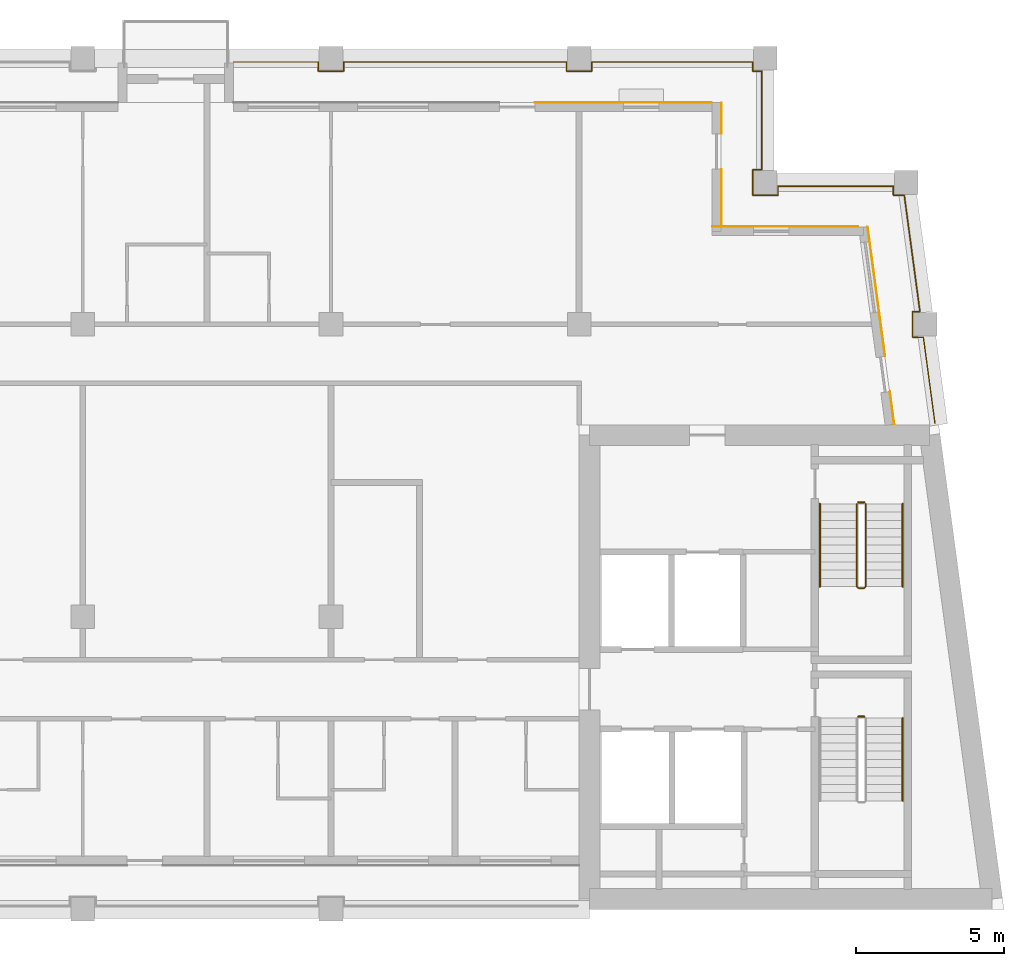
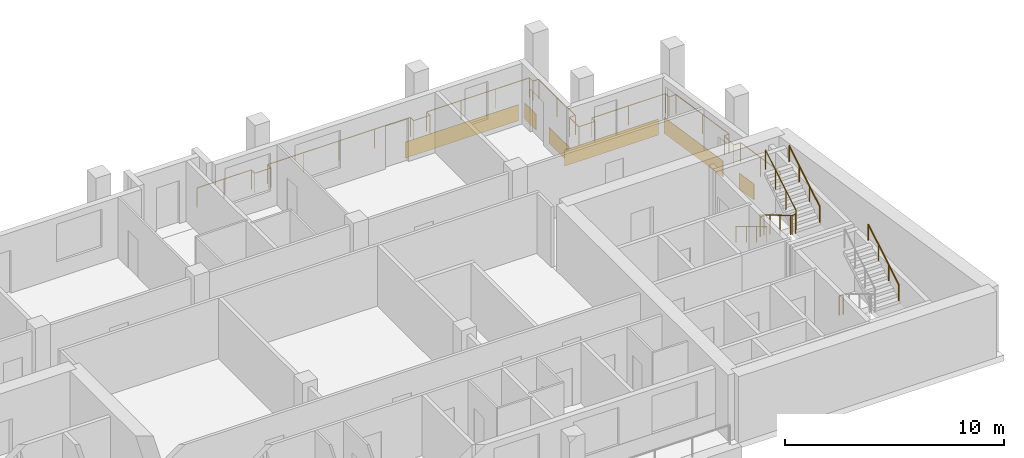
# One storey, part 9 of 10: 7 railings, 6 coverings.
"""IFC4 building model written with IfcOpenShell, lengths in metres."""

from ifc_helpers import new_model, si_unit, direction, frame, origin, origin_2d, place, context, subcontext, project, spatial, rectangle, circle, extrude, material, layer, layer_set, type_object, element, save


model = new_model("IFC4")

# Units and contexts
model_context = context("Model", 3, precision=1e-05, world=origin(), true_north=direction((0.0, 1.0)))
body_context = subcontext(model_context, "Body", "Model", "MODEL_VIEW")
ifc_project = project(units=[si_unit("LENGTHUNIT", "METRE"), si_unit("AREAUNIT", "SQUARE_METRE"), si_unit("VOLUMEUNIT", "CUBIC_METRE"), si_unit("PLANEANGLEUNIT", "RADIAN"), si_unit("MASSUNIT", "GRAM", prefix="KILO")], contexts=[model_context])

# Site, building, storey
site_placement = place(None, origin())
site = spatial("IfcSite", under=ifc_project, at=site_placement, CompositionType="ELEMENT")
building_placement = place(site_placement, origin())
building = spatial("IfcBuilding", under=site, at=building_placement, Name="Candeia Pilgrim Tower and Theatre", CompositionType="ELEMENT")
storey_placement = place(building_placement, frame((0.0, 0.0, 288.60009765625)))
storey = spatial("IfcBuildingStorey", under=building, at=storey_placement, Name="L70", CompositionType="ELEMENT", Elevation=288.60009765625)

# Railing
ifc_material_1 = material(Name="Stainless steel balustrade", Category="steel")
railing_type_1 = type_object("IfcRailingType", Name="G1 loggia guard 1100", PredefinedType="GUARDRAIL", material=ifc_material_1)
railing_1_placement = place(storey_placement, frame((114.300048828125, 144.679931640625, 0.0)))
element("IfcRailing", 1, at=railing_1_placement, inside=storey, type_object=railing_type_1, Name="Guard L70.2", PredefinedType="GUARDRAIL", context=body_context, shape_type="SweptSolid", body=[
    extrude(circle(Radius=0.02392578125, at=origin_2d()), frame((0.0, 0.0, 1.076171875), z_axis=(1.0, 0.0, 0.0), x_axis=(0.0, 1.0, 0.0)), (0.0, 0.0, 1.0), 2.869873046875),
    extrude(circle(Radius=0.02392578125, at=origin_2d()), frame((2.869873046875, 0.0, 1.076171875), z_axis=(0.0, -1.0, 0.0), x_axis=(1.0, 0.0, 0.0)), (0.0, 0.0, 1.0), 0.309814453125),
    extrude(circle(Radius=0.02392578125, at=origin_2d()), frame((2.869873046875, -0.309814453125, 1.076171875), z_axis=(1.0, 0.0, 0.0), x_axis=(0.0, 1.0, 0.0)), (0.0, 0.0, 1.0), 0.860107421875),
    extrude(circle(Radius=0.02392578125, at=origin_2d()), frame((3.72998046875, -0.309814453125, 1.076171875), z_axis=(0.0, 1.0, 0.0), x_axis=(-1.0, 0.0, 0.0)), (0.0, 0.0, 1.0), 0.309814453125),
    extrude(circle(Radius=0.02392578125, at=origin_2d()), frame((3.72998046875, 0.0, 1.076171875), z_axis=(1.0, 0.0, 0.0), x_axis=(0.0, 1.0, 0.0)), (0.0, 0.0, 1.0), 7.5400390625),
    extrude(circle(Radius=0.02392578125, at=origin_2d()), frame((11.27001953125, 0.0, 1.076171875), z_axis=(0.0, -1.0, 0.0), x_axis=(1.0, 0.0, 0.0)), (0.0, 0.0, 1.0), 0.309814453125),
    extrude(circle(Radius=0.02392578125, at=origin_2d()), frame((11.27001953125, -0.309814453125, 1.076171875), z_axis=(1.0, 0.0, 0.0), x_axis=(0.0, 1.0, 0.0)), (0.0, 0.0, 1.0), 0.85986328125),
    extrude(circle(Radius=0.02392578125, at=origin_2d()), frame((12.1298828125, -0.309814453125, 1.076171875), z_axis=(0.0, 1.0, 0.0), x_axis=(-1.0, 0.0, 0.0)), (0.0, 0.0, 1.0), 0.309814453125),
    extrude(circle(Radius=0.02392578125, at=origin_2d()), frame((12.1298828125, 0.0, 1.076171875), z_axis=(1.0, 0.0, 0.0), x_axis=(0.0, 1.0, 0.0)), (0.0, 0.0, 1.0), 5.440185546875),
    extrude(circle(Radius=0.02392578125, at=origin_2d()), frame((17.570068359375, 0.0, 1.076171875), z_axis=(0.0, -1.0, 0.0), x_axis=(1.0, 0.0, 0.0)), (0.0, 0.0, 1.0), 0.309814453125),
    extrude(circle(Radius=0.02392578125, at=origin_2d()), frame((17.570068359375, -0.309814453125, 1.076171875), z_axis=(1.0, 0.0, 0.0), x_axis=(0.0, 1.0, 0.0)), (0.0, 0.0, 1.0), 0.309814453125),
    extrude(circle(Radius=0.02392578125, at=origin_2d()), frame((17.8798828125, -0.309814453125, 1.076171875), z_axis=(0.0, -1.0, 0.0), x_axis=(1.0, 0.0, 0.0)), (0.0, 0.0, 1.0), 3.340087890625),
    extrude(circle(Radius=0.02392578125, at=origin_2d()), frame((17.8798828125, -3.64990234375, 1.076171875), z_axis=(-1.0, 0.0, 0.0), x_axis=(0.0, -1.0, 0.0)), (0.0, 0.0, 1.0), 0.309814453125),
    extrude(circle(Radius=0.02392578125, at=origin_2d()), frame((17.570068359375, -3.64990234375, 1.076171875), z_axis=(0.0, -1.0, 0.0), x_axis=(1.0, 0.0, 0.0)), (0.0, 0.0, 1.0), 0.860107421875),
    extrude(circle(Radius=0.02392578125, at=origin_2d()), frame((17.570068359375, -4.510009765625, 1.076171875), z_axis=(1.0, 0.0, 0.0), x_axis=(0.0, 1.0, 0.0)), (0.0, 0.0, 1.0), 0.85986328125),
    extrude(circle(Radius=0.02392578125, at=origin_2d()), frame((18.429931640625, -4.510009765625, 1.076171875), z_axis=(0.0, 1.0, 0.0), x_axis=(-1.0, 0.0, 0.0)), (0.0, 0.0, 1.0), 0.31005859375),
    extrude(circle(Radius=0.02392578125, at=origin_2d()), frame((18.429931640625, -4.199951171875, 1.076171875), z_axis=(1.0, 0.0, 0.0), x_axis=(0.0, 1.0, 0.0)), (0.0, 0.0, 1.0), 3.905517578125),
    extrude(circle(Radius=0.02392578125, at=origin_2d()), frame((22.33544921875, -4.199951171875, 1.076171875), z_axis=(0.0, -1.0, 0.0), x_axis=(1.0, 0.0, 0.0)), (0.0, 0.0, 1.0), 0.31005859375),
    extrude(circle(Radius=0.02392578125, at=origin_2d()), frame((22.33544921875, -4.510009765625, 1.076171875), z_axis=(1.0, 0.0, 0.0), x_axis=(0.0, 1.0, 0.0)), (0.0, 0.0, 1.0), 0.36669921875),
    extrude(circle(Radius=0.02392578125, at=origin_2d()), frame((22.7021484375, -4.510009765625, 1.076171875), z_axis=(0.133386492616, -0.991064096609, 0.0), x_axis=(0.991064096609, 0.133386492616, 0.0)), (0.0, 0.0, 1.0), 3.9755859375),
    extrude(circle(Radius=0.02392578125, at=origin_2d()), frame((23.232421875, -8.449951171875, 1.076171875), z_axis=(-1.0, 0.0, 0.0), x_axis=(0.0, -1.0, 0.0)), (0.0, 0.0, 1.0), 0.2509765625),
    extrude(circle(Radius=0.02392578125, at=origin_2d()), frame((22.9814453125, -8.449951171875, 1.076171875), z_axis=(0.0, -1.0, 0.0), x_axis=(1.0, 0.0, 0.0)), (0.0, 0.0, 1.0), 0.85986328125),
    extrude(circle(Radius=0.02392578125, at=origin_2d()), frame((22.9814453125, -9.309814453125, 1.076171875), z_axis=(1.0, 0.0, 0.0), x_axis=(0.0, 1.0, 0.0)), (0.0, 0.0, 1.0), 0.366943359375),
    extrude(circle(Radius=0.02392578125, at=origin_2d()), frame((23.348388671875, -9.309814453125, 1.076171875), z_axis=(0.133401056725, -0.991062136329, 0.0), x_axis=(0.991062136329, 0.133401056725, 0.0)), (0.0, 0.0, 1.0), 2.946533203125),
    extrude(circle(Radius=0.02099609375, at=origin_2d()), origin(), (0.0, 0.0, 1.0), 1.052001953125),
    extrude(circle(Radius=0.02099609375, at=origin_2d()), frame((1.43505859375, 0.0, 0.0)), (0.0, 0.0, 1.0), 1.052001953125),
    extrude(circle(Radius=0.02099609375, at=origin_2d()), frame((2.869873046875, 0.0, 0.0)), (0.0, 0.0, 1.0), 1.052001953125),
    extrude(circle(Radius=0.02099609375, at=origin_2d()), frame((2.869873046875, -0.309814453125, 0.0)), (0.0, 0.0, 1.0), 1.052001953125),
    extrude(circle(Radius=0.02099609375, at=origin_2d()), frame((3.72998046875, -0.309814453125, 0.0)), (0.0, 0.0, 1.0), 1.052001953125),
    extrude(circle(Radius=0.02099609375, at=origin_2d()), frame((3.72998046875, 0.0, 0.0)), (0.0, 0.0, 1.0), 1.052001953125),
    extrude(circle(Radius=0.02099609375, at=origin_2d()), frame((5.614990234375, 0.0, 0.0)), (0.0, 0.0, 1.0), 1.052001953125),
    extrude(circle(Radius=0.02099609375, at=origin_2d()), frame((7.5, 0.0, 0.0)), (0.0, 0.0, 1.0), 1.052001953125),
    extrude(circle(Radius=0.02099609375, at=origin_2d()), frame((9.385009765625, 0.0, 0.0)), (0.0, 0.0, 1.0), 1.052001953125),
    extrude(circle(Radius=0.02099609375, at=origin_2d()), frame((11.27001953125, 0.0, 0.0)), (0.0, 0.0, 1.0), 1.052001953125),
    extrude(circle(Radius=0.02099609375, at=origin_2d()), frame((11.27001953125, -0.309814453125, 0.0)), (0.0, 0.0, 1.0), 1.052001953125),
    extrude(circle(Radius=0.02099609375, at=origin_2d()), frame((12.1298828125, -0.309814453125, 0.0)), (0.0, 0.0, 1.0), 1.052001953125),
    extrude(circle(Radius=0.02099609375, at=origin_2d()), frame((12.1298828125, 0.0, 0.0)), (0.0, 0.0, 1.0), 1.052001953125),
    extrude(circle(Radius=0.02099609375, at=origin_2d()), frame((13.943359375, 0.0, 0.0)), (0.0, 0.0, 1.0), 1.052001953125),
    extrude(circle(Radius=0.02099609375, at=origin_2d()), frame((15.756591796875, 0.0, 0.0)), (0.0, 0.0, 1.0), 1.052001953125),
    extrude(circle(Radius=0.02099609375, at=origin_2d()), frame((17.570068359375, 0.0, 0.0)), (0.0, 0.0, 1.0), 1.052001953125),
    extrude(circle(Radius=0.02099609375, at=origin_2d()), frame((17.570068359375, -0.309814453125, 0.0)), (0.0, 0.0, 1.0), 1.052001953125),
    extrude(circle(Radius=0.02099609375, at=origin_2d()), frame((17.8798828125, -0.309814453125, 0.0)), (0.0, 0.0, 1.0), 1.052001953125),
    extrude(circle(Radius=0.02099609375, at=origin_2d()), frame((17.8798828125, -1.97998046875, 0.0)), (0.0, 0.0, 1.0), 1.052001953125),
    extrude(circle(Radius=0.02099609375, at=origin_2d()), frame((17.8798828125, -3.64990234375, 0.0)), (0.0, 0.0, 1.0), 1.052001953125),
    extrude(circle(Radius=0.02099609375, at=origin_2d()), frame((17.570068359375, -3.64990234375, 0.0)), (0.0, 0.0, 1.0), 1.052001953125),
    extrude(circle(Radius=0.02099609375, at=origin_2d()), frame((17.570068359375, -4.510009765625, 0.0)), (0.0, 0.0, 1.0), 1.052001953125),
    extrude(circle(Radius=0.02099609375, at=origin_2d()), frame((18.429931640625, -4.510009765625, 0.0)), (0.0, 0.0, 1.0), 1.052001953125),
    extrude(circle(Radius=0.02099609375, at=origin_2d()), frame((18.429931640625, -4.199951171875, 0.0)), (0.0, 0.0, 1.0), 1.052001953125),
    extrude(circle(Radius=0.02099609375, at=origin_2d()), frame((20.3828125, -4.199951171875, 0.0)), (0.0, 0.0, 1.0), 1.052001953125),
    extrude(circle(Radius=0.02099609375, at=origin_2d()), frame((22.33544921875, -4.199951171875, 0.0)), (0.0, 0.0, 1.0), 1.052001953125),
    extrude(circle(Radius=0.02099609375, at=origin_2d()), frame((22.33544921875, -4.510009765625, 0.0)), (0.0, 0.0, 1.0), 1.052001953125),
    extrude(circle(Radius=0.02099609375, at=origin_2d()), frame((22.7021484375, -4.510009765625, 0.0)), (0.0, 0.0, 1.0), 1.052001953125),
    extrude(circle(Radius=0.02099609375, at=origin_2d()), frame((22.96728515625, -6.47998046875, 0.0)), (0.0, 0.0, 1.0), 1.052001953125),
    extrude(circle(Radius=0.02099609375, at=origin_2d()), frame((23.232421875, -8.449951171875, 0.0)), (0.0, 0.0, 1.0), 1.052001953125),
    extrude(circle(Radius=0.02099609375, at=origin_2d()), frame((22.9814453125, -8.449951171875, 0.0)), (0.0, 0.0, 1.0), 1.052001953125),
    extrude(circle(Radius=0.02099609375, at=origin_2d()), frame((22.9814453125, -9.309814453125, 0.0)), (0.0, 0.0, 1.0), 1.052001953125),
    extrude(circle(Radius=0.02099609375, at=origin_2d()), frame((23.348388671875, -9.309814453125, 0.0)), (0.0, 0.0, 1.0), 1.052001953125),
    extrude(circle(Radius=0.02099609375, at=origin_2d()), frame((23.544921875, -10.77001953125, 0.0)), (0.0, 0.0, 1.0), 1.052001953125),
    extrude(circle(Radius=0.02099609375, at=origin_2d()), frame((23.741455078125, -12.22998046875, 0.0)), (0.0, 0.0, 1.0), 1.052001953125),
])

# Coverings
ifc_material_2 = material(Name="Glazed ceramic tile bottle green")
ifc_layer = layer(ifc_material_2, 0.02001953125)
ifc_layer_set = layer_set([ifc_layer], Name="Glazed ceramic tile bottle green")
covering_type = type_object("IfcCoveringType", Name="Glazed ceramic tile bottle green", PredefinedType="CLADDING", material=ifc_layer_set)
covering_1_placement = place(storey_placement, frame((136.588623046875, 132.97412109375, 0.0), z_axis=(0.0, 0.0, 1.0), x_axis=(-0.133412012145, 0.991060661622, 0.0)))
element("IfcCovering", 2, at=covering_1_placement, inside=storey, type_object=covering_type, Name="Tile cladding bottle green L70", PredefinedType="CLADDING", context=body_context, shape_type="SweptSolid", body=[
    extrude(rectangle(XDim=1.115234375, YDim=0.02001953125, at=origin_2d()), origin(), (0.0, 0.0, 1.0), 0.89990234375),
])
covering_2_placement = place(storey_placement, frame((136.058837890625, 136.90869140625, 0.0), z_axis=(0.0, 0.0, 1.0), x_axis=(-0.133412012145, 0.991060661622, 0.0)))
element("IfcCovering", 3, at=covering_2_placement, inside=storey, type_object=covering_type, Name="Tile cladding bottle green L70", PredefinedType="CLADDING", context=body_context, shape_type="SweptSolid", body=[
    extrude(rectangle(XDim=4.4248046875, YDim=0.02001953125, at=origin_2d()), origin(), (0.0, 0.0, 1.0), 0.89990234375),
])
covering_3_placement = place(storey_placement, frame((132.976318359375, 139.110107421875, 0.0), z_axis=(0.0, 0.0, 1.0), x_axis=(-1.0, 0.0, 0.0)))
element("IfcCovering", 4, at=covering_3_placement, inside=storey, type_object=covering_type, Name="Tile cladding bottle green L70", PredefinedType="CLADDING", context=body_context, shape_type="SweptSolid", body=[
    extrude(rectangle(XDim=4.95263671875, YDim=0.02001953125, at=origin_2d()), origin(), (0.0, 0.0, 1.0), 0.89990234375),
])
covering_4_placement = place(storey_placement, frame((130.81005859375, 140.0849609375, 0.0), z_axis=(0.0, 0.0, 1.0), x_axis=(0.0, 1.0, 0.0)))
element("IfcCovering", 5, at=covering_4_placement, inside=storey, type_object=covering_type, Name="Tile cladding bottle green L70", PredefinedType="CLADDING", context=body_context, shape_type="SweptSolid", body=[
    extrude(rectangle(XDim=1.929931640625, YDim=0.02001953125, at=origin_2d()), origin(), (0.0, 0.0, 1.0), 0.89990234375),
])
covering_5_placement = place(storey_placement, frame((130.81005859375, 142.77490234375, 0.0), z_axis=(0.0, 0.0, 1.0), x_axis=(0.0, 1.0, 0.0)))
element("IfcCovering", 6, at=covering_5_placement, inside=storey, type_object=covering_type, Name="Tile cladding bottle green L70", PredefinedType="CLADDING", context=body_context, shape_type="SweptSolid", body=[
    extrude(rectangle(XDim=1.050048828125, YDim=0.02001953125, at=origin_2d()), origin(), (0.0, 0.0, 1.0), 0.89990234375),
])
covering_6_placement = place(storey_placement, frame((127.489990234375, 143.31005859375, 0.0), z_axis=(0.0, 0.0, 1.0), x_axis=(-1.0, 0.0, 0.0)))
element("IfcCovering", 7, at=covering_6_placement, inside=storey, type_object=covering_type, Name="Tile cladding bottle green L70", PredefinedType="CLADDING", context=body_context, shape_type="SweptSolid", body=[
    extrude(rectangle(XDim=5.97998046875, YDim=0.02001953125, at=origin_2d()), origin(), (0.0, 0.0, 1.0), 0.89990234375),
])

# Railings
railing_type_2 = type_object("IfcRailingType", Name="RL-GUARD-1100", PredefinedType="GUARDRAIL", material=ifc_material_1)
railing_2_placement = place(storey_placement, frame((135.447998046875, 122.52490234375, 0.0)))
element("IfcRailing", 8, at=railing_2_placement, inside=storey, type_object=railing_type_2, Name="L70 ST3 stair guard 2", PredefinedType="GUARDRAIL", context=body_context, shape_type="SweptSolid", body=[
    extrude(circle(Radius=0.02392578125, at=origin_2d()), frame((0.0, 0.0, 1.076171875), z_axis=(1.0, 0.0, 0.0), x_axis=(0.0, 1.0, 0.0)), (0.0, 0.0, 1.0), 0.199951171875),
    extrude(circle(Radius=0.02099609375, at=origin_2d()), origin(), (0.0, 0.0, 1.0), 1.052001953125),
    extrude(circle(Radius=0.02099609375, at=origin_2d()), frame((0.199951171875, 0.0, 0.0)), (0.0, 0.0, 1.0), 1.052001953125),
])
railing_3_placement = place(storey_placement, frame((135.39794921875, 129.72509765625, 0.16796875)))
element("IfcRailing", 9, at=railing_3_placement, inside=storey, type_object=railing_type_2, Name="L70 ST4 stair guard 1", PredefinedType="GUARDRAIL", context=body_context, shape_type="SweptSolid", body=[
    extrude(circle(Radius=0.02392578125, at=origin_2d()), frame((0.0, 0.0, 1.076171875), z_axis=(0.0, -0.857242210791, 0.514913383045), x_axis=(1.0, 0.0, 0.0)), (0.0, 0.0, 1.0), 3.266357421875),
    extrude(circle(Radius=0.02392578125, at=origin_2d()), frame((0.0, -2.800048828125, 2.7578125), z_axis=(0.707106781187, -0.707106781187, 0.0), x_axis=(0.707106781187, 0.707106781187, 0.0)), (0.0, 0.0, 1.0), 0.07080078125),
    extrude(circle(Radius=0.02392578125, at=origin_2d()), frame((0.050048828125, -2.85009765625, 2.7578125), z_axis=(1.0, 0.0, 0.0), x_axis=(0.0, 1.0, 0.0)), (0.0, 0.0, 1.0), 0.199951171875),
    extrude(circle(Radius=0.02392578125, at=origin_2d()), frame((0.25, -2.85009765625, 2.7578125), z_axis=(0.274243871929, 0.274243871929, 0.92172696468), x_axis=(-0.707106781187, 0.707106781187, 0.0)), (0.0, 0.0, 1.0), 0.1826171875),
    extrude(circle(Radius=0.02392578125, at=origin_2d()), frame((0.300048828125, -2.800048828125, 2.92626953125), z_axis=(0.0, 0.857242210791, 0.514913383045), x_axis=(-1.0, 0.0, 0.0)), (0.0, 0.0, 1.0), 3.266357421875),
    extrude(circle(Radius=0.02099609375, at=origin_2d()), origin(), (0.0, 0.0, 1.0), 1.052001953125),
    extrude(circle(Radius=0.02099609375, at=origin_2d()), frame((0.0, -0.933349609375, 0.560546875)), (0.0, 0.0, 1.0), 1.052001953125),
    extrude(circle(Radius=0.02099609375, at=origin_2d()), frame((0.0, -1.86669921875, 1.121337890625)), (0.0, 0.0, 1.0), 1.052001953125),
    extrude(circle(Radius=0.02099609375, at=origin_2d()), frame((0.0, -2.800048828125, 1.681884765625)), (0.0, 0.0, 1.0), 1.052001953125),
    extrude(circle(Radius=0.02099609375, at=origin_2d()), frame((0.050048828125, -2.85009765625, 1.681884765625)), (0.0, 0.0, 1.0), 1.052001953125),
    extrude(circle(Radius=0.02099609375, at=origin_2d()), frame((0.25, -2.85009765625, 1.681884765625)), (0.0, 0.0, 1.0), 1.052001953125),
    extrude(circle(Radius=0.02099609375, at=origin_2d()), frame((0.300048828125, -2.800048828125, 1.85009765625)), (0.0, 0.0, 1.0), 1.052001953125),
    extrude(circle(Radius=0.02099609375, at=origin_2d()), frame((0.300048828125, -1.86669921875, 2.41064453125)), (0.0, 0.0, 1.0), 1.052001953125),
    extrude(circle(Radius=0.02099609375, at=origin_2d()), frame((0.300048828125, -0.933349609375, 2.971435546875)), (0.0, 0.0, 1.0), 1.052001953125),
    extrude(circle(Radius=0.02099609375, at=origin_2d()), frame((0.300048828125, 0.0, 3.531982421875)), (0.0, 0.0, 1.0), 1.052001953125),
])
railing_4_placement = place(storey_placement, frame((135.447998046875, 129.77490234375, 0.0)))
element("IfcRailing", 10, at=railing_4_placement, inside=storey, type_object=railing_type_2, Name="L70 ST4 stair guard 2", PredefinedType="GUARDRAIL", context=body_context, shape_type="SweptSolid", body=[
    extrude(circle(Radius=0.02392578125, at=origin_2d()), frame((0.0, 0.0, 1.076171875), z_axis=(1.0, 0.0, 0.0), x_axis=(0.0, 1.0, 0.0)), (0.0, 0.0, 1.0), 0.199951171875),
    extrude(circle(Radius=0.02099609375, at=origin_2d()), origin(), (0.0, 0.0, 1.0), 1.052001953125),
    extrude(circle(Radius=0.02099609375, at=origin_2d()), frame((0.199951171875, 0.0, 0.0)), (0.0, 0.0, 1.0), 1.052001953125),
])
ifc_material_3 = material(Name="Stainless steel handrail", Category="steel")
railing_type_3 = type_object("IfcRailingType", Name="RL-HANDRAIL-900", PredefinedType="HANDRAIL", material=ifc_material_3)
railing_5_placement = place(storey_placement, frame((136.947998046875, 119.675048828125, 2.01806640625)))
element("IfcRailing", 11, at=railing_5_placement, inside=storey, type_object=railing_type_3, Name="L70 ST3 stair handrail 2", PredefinedType="HANDRAIL", context=body_context, shape_type="SweptSolid", body=[
    extrude(circle(Radius=0.02392578125, at=origin_2d()), frame((0.0, 0.0, 0.8759765625), z_axis=(0.0, 0.857242210791, 0.514913383045), x_axis=(-1.0, 0.0, 0.0)), (0.0, 0.0, 1.0), 3.266357421875),
    extrude(circle(Radius=0.02099609375, at=origin_2d()), origin(), (0.0, 0.0, 1.0), 0.851806640625),
    extrude(circle(Radius=0.02099609375, at=origin_2d()), frame((0.0, 0.933349609375, 0.560546875)), (0.0, 0.0, 1.0), 0.851806640625),
    extrude(circle(Radius=0.02099609375, at=origin_2d()), frame((0.0, 1.86669921875, 1.121337890625)), (0.0, 0.0, 1.0), 0.851806640625),
    extrude(circle(Radius=0.02099609375, at=origin_2d()), frame((0.0, 2.800048828125, 1.681884765625)), (0.0, 0.0, 1.0), 0.851806640625),
])
railing_6_placement = place(storey_placement, frame((134.14794921875, 129.72509765625, 0.16796875)))
element("IfcRailing", 12, at=railing_6_placement, inside=storey, type_object=railing_type_3, Name="L70 ST4 stair handrail 1", PredefinedType="HANDRAIL", context=body_context, shape_type="SweptSolid", body=[
    extrude(circle(Radius=0.02392578125, at=origin_2d()), frame((0.0, 0.0, 0.8759765625), z_axis=(0.0, -0.857242210791, 0.514913383045), x_axis=(1.0, 0.0, 0.0)), (0.0, 0.0, 1.0), 3.266357421875),
    extrude(circle(Radius=0.02099609375, at=origin_2d()), origin(), (0.0, 0.0, 1.0), 0.851806640625),
    extrude(circle(Radius=0.02099609375, at=origin_2d()), frame((0.0, -0.933349609375, 0.560546875)), (0.0, 0.0, 1.0), 0.851806640625),
    extrude(circle(Radius=0.02099609375, at=origin_2d()), frame((0.0, -1.86669921875, 1.121337890625)), (0.0, 0.0, 1.0), 0.851806640625),
    extrude(circle(Radius=0.02099609375, at=origin_2d()), frame((0.0, -2.800048828125, 1.681884765625)), (0.0, 0.0, 1.0), 0.851806640625),
])
railing_7_placement = place(storey_placement, frame((136.947998046875, 126.925048828125, 2.01806640625)))
element("IfcRailing", 13, at=railing_7_placement, inside=storey, type_object=railing_type_3, Name="L70 ST4 stair handrail 2", PredefinedType="HANDRAIL", context=body_context, shape_type="SweptSolid", body=[
    extrude(circle(Radius=0.02392578125, at=origin_2d()), frame((0.0, 0.0, 0.8759765625), z_axis=(0.0, 0.857242210791, 0.514913383045), x_axis=(-1.0, 0.0, 0.0)), (0.0, 0.0, 1.0), 3.266357421875),
    extrude(circle(Radius=0.02099609375, at=origin_2d()), origin(), (0.0, 0.0, 1.0), 0.851806640625),
    extrude(circle(Radius=0.02099609375, at=origin_2d()), frame((0.0, 0.933349609375, 0.560546875)), (0.0, 0.0, 1.0), 0.851806640625),
    extrude(circle(Radius=0.02099609375, at=origin_2d()), frame((0.0, 1.86669921875, 1.121337890625)), (0.0, 0.0, 1.0), 0.851806640625),
    extrude(circle(Radius=0.02099609375, at=origin_2d()), frame((0.0, 2.800048828125, 1.681884765625)), (0.0, 0.0, 1.0), 0.851806640625),
])

save(model, "model.ifc")
